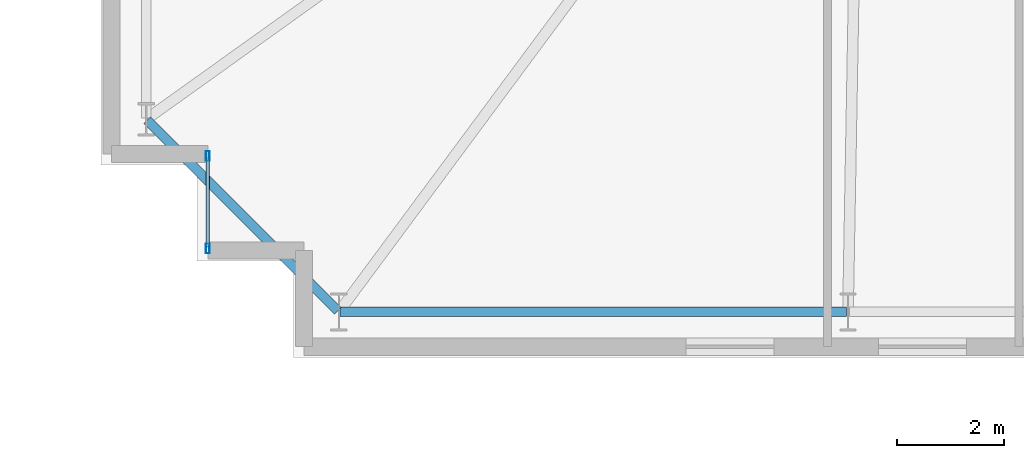
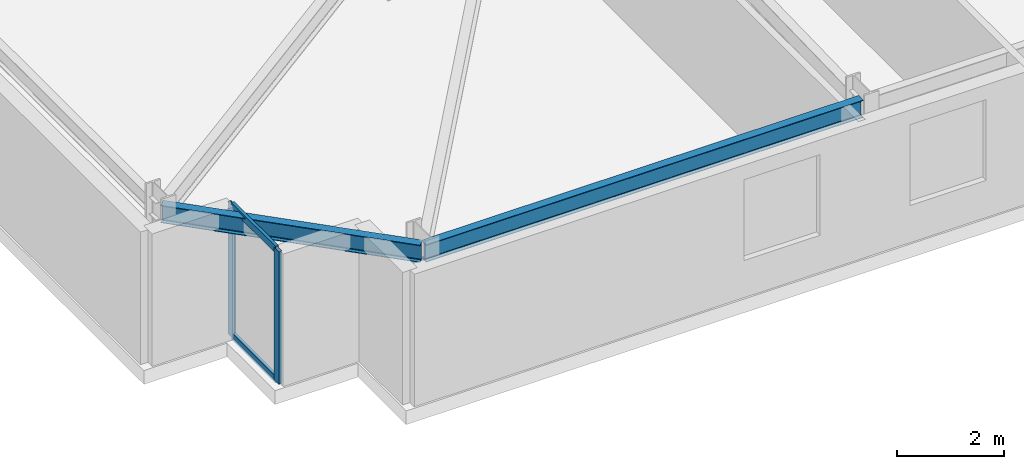
# One storey, part 4 of 21: 4 members, 2 beams, 1 element without a shape of its own.
"""IFC4 building model written with IfcOpenShell, lengths in metres."""

from ifc_helpers import new_model, si_unit, direction, frame, origin, origin_2d, place, context, subcontext, project, spatial, hollow_rectangle, i_section, extrude, material, layer, layer_set, material_profile, profile_set, type_object, element, aggregate, save


model = new_model("IFC4")

# Units and contexts
model_context = context("Model", 3, precision=1e-05, world=origin(), true_north=direction((0.0, 1.0)))
body_context = subcontext(model_context, "Body", "Model", "MODEL_VIEW")
ifc_project = project(units=[si_unit("LENGTHUNIT", "METRE"), si_unit("AREAUNIT", "SQUARE_METRE"), si_unit("VOLUMEUNIT", "CUBIC_METRE"), si_unit("PLANEANGLEUNIT", "RADIAN"), si_unit("MASSUNIT", "GRAM", prefix="KILO")], contexts=[model_context])

# Site, building, storey
site_placement = place(None, origin())
site = spatial("IfcSite", under=ifc_project, at=site_placement, CompositionType="ELEMENT")
building_placement = place(site_placement, origin())
building = spatial("IfcBuilding", under=site, at=building_placement, Name="Qobustan Lattice House", CompositionType="ELEMENT")
storey_placement = place(building_placement, frame((0.0, 0.0, 30.35009765625)))
storey = spatial("IfcBuildingStorey", under=building, at=storey_placement, Name="L07", CompositionType="ELEMENT", Elevation=30.35009765625)

# Beams
ifc_material_1 = material(Name="Steel S355", Category="steel")
ifc_material_profile_1 = material_profile(ifc_material_1, i_section(OverallWidth=0.179931640625, OverallDepth=0.39990234375, WebThickness=0.008544921875, FlangeThickness=0.013427734375, FilletRadius=0.02099609375, at=origin_2d()), Name="IPE400")
ifc_profile_set_1 = profile_set([ifc_material_profile_1], Name="Steel S355")
beam_type = type_object("IfcBeamType", Name="BM-SPD-IPE400", PredefinedType="SPANDREL", material=ifc_profile_set_1)
beam_1_placement = place(storey_placement, frame((-28.52490234375, -18.75, 2.8349609375), z_axis=(1.0, 0.0, 0.0), x_axis=(0.0, 1.0, 0.0)))
element("IfcBeam", 1, at=beam_1_placement, inside=storey, type_object=beam_type, Name="L07 perimeter spandrel S1-S2", PredefinedType="SPANDREL", context=body_context, shape_type="SweptSolid", body=[
    extrude(i_section(OverallWidth=0.179931640625, OverallDepth=0.39990234375, WebThickness=0.008544921875, FlangeThickness=0.013427734375, FilletRadius=0.02099609375, at=origin_2d()), origin(), (0.0, 0.0, 1.0), 9.466552734375),
])
beam_2_placement = place(storey_placement, frame((-32.13232421875, -15.167724609375, 2.8349609375), z_axis=(0.707106781187, -0.707106781187, 0.0), x_axis=(0.707106781187, 0.707106781187, 0.0)))
element("IfcBeam", 2, at=beam_2_placement, inside=storey, type_object=beam_type, Name="L07 perimeter spandrel W4-S1", PredefinedType="SPANDREL", context=body_context, shape_type="SweptSolid", body=[
    extrude(i_section(OverallWidth=0.179931640625, OverallDepth=0.39990234375, WebThickness=0.008544921875, FlangeThickness=0.013427734375, FilletRadius=0.02099609375, at=origin_2d()), origin(), (0.0, 0.0, 1.0), 5.041259765625),
])

# Curtain wall, members
ifc_material_2 = material(Name="Anodised aluminium and low-E glazing", Category="aluminium")
ifc_layer = layer(ifc_material_2, 0.219970703125)
ifc_layer_set = layer_set([ifc_layer], Name="Anodised aluminium and low-E glazing")
curtain_wall_type = type_object("IfcCurtainWallType", Name="CW-FAC-01", PredefinedType="USERDEFINED", material=ifc_layer_set)
curtain_wall_placement = place(storey_placement, origin())
curtain_wall = element("IfcCurtainWall", 3, at=curtain_wall_placement, inside=storey, type_object=curtain_wall_type, Name="L07 serrated corner faceted glazing 3", ObjectType="CURTAIN WALL", PredefinedType="USERDEFINED")
ifc_material_3 = material(Name="Anodised aluminium EN AW-6063 T6", Category="aluminium")
ifc_material_profile_2 = material_profile(ifc_material_3, hollow_rectangle(XDim=0.070068359375, YDim=0.179931640625, WallThickness=0.00439453125, at=origin_2d()), Name="CWM-180x70")
ifc_profile_set_2 = profile_set([ifc_material_profile_2], Name="Anodised aluminium EN AW-6063 T6")
member_type_1 = type_object("IfcMemberType", Name="CWM-STD-180", PredefinedType="MULLION", material=ifc_profile_set_2)
member_1_placement = place(storey_placement, frame((-31.0, -17.56494140625, 0.0), z_axis=(0.0, 0.0, 1.0), x_axis=(-1.0, 0.0, 0.0)))
member_1 = element("IfcMember", 4, at=member_1_placement, type_object=member_type_1, Name="CW-F1 mullion 1", PredefinedType="MULLION", context=body_context, shape_type="SweptSolid", body=[
    extrude(hollow_rectangle(XDim=0.070068359375, YDim=0.179931640625, WallThickness=0.00439453125, at=origin_2d()), origin(), (0.0, 0.0, 1.0), 3.034912109375),
])
member_2_placement = place(storey_placement, frame((-31.0, -15.8349609375, 0.0), z_axis=(0.0, 0.0, 1.0), x_axis=(-1.0, 0.0, 0.0)))
member_2 = element("IfcMember", 5, at=member_2_placement, type_object=member_type_1, Name="CW-F1 mullion 2", PredefinedType="MULLION", context=body_context, shape_type="SweptSolid", body=[
    extrude(hollow_rectangle(XDim=0.070068359375, YDim=0.179931640625, WallThickness=0.00439453125, at=origin_2d()), origin(), (0.0, 0.0, 1.0), 3.034912109375),
])
ifc_material_4 = material(Name="Anodised aluminium EN AW-6063 T6", Category="aluminium")
ifc_material_profile_3 = material_profile(ifc_material_4, hollow_rectangle(XDim=0.06494140625, YDim=0.159912109375, WallThickness=0.00390625, at=origin_2d()), Name="CWT-160x65")
ifc_profile_set_3 = profile_set([ifc_material_profile_3], Name="Anodised aluminium EN AW-6063 T6")
member_type_2 = type_object("IfcMemberType", Name="CWT-HOR-160", PredefinedType="USERDEFINED", material=ifc_profile_set_3)
member_3_placement = place(storey_placement, frame((-31.0, -17.530029296875, 0.032470703125), z_axis=(0.0, 1.0, 0.0), x_axis=(-1.0, 0.0, 0.0)))
member_3 = element("IfcMember", 6, at=member_3_placement, type_object=member_type_2, Name="CW-F1 transom 1.1", ObjectType="TRANSOM", PredefinedType="USERDEFINED", context=body_context, shape_type="SweptSolid", body=[
    extrude(hollow_rectangle(XDim=0.06494140625, YDim=0.159912109375, WallThickness=0.00390625, at=origin_2d()), origin(), (0.0, 0.0, 1.0), 1.659912109375),
])
member_4_placement = place(storey_placement, frame((-31.0, -17.530029296875, 3.00244140625), z_axis=(0.0, 1.0, 0.0), x_axis=(-1.0, 0.0, 0.0)))
member_4 = element("IfcMember", 7, at=member_4_placement, type_object=member_type_2, Name="CW-F1 transom 1.2", ObjectType="TRANSOM", PredefinedType="USERDEFINED", context=body_context, shape_type="SweptSolid", body=[
    extrude(hollow_rectangle(XDim=0.06494140625, YDim=0.159912109375, WallThickness=0.00390625, at=origin_2d()), origin(), (0.0, 0.0, 1.0), 1.659912109375),
])
aggregate(curtain_wall, [member_1, member_2, member_3, member_4])

save(model, "model.ifc")
